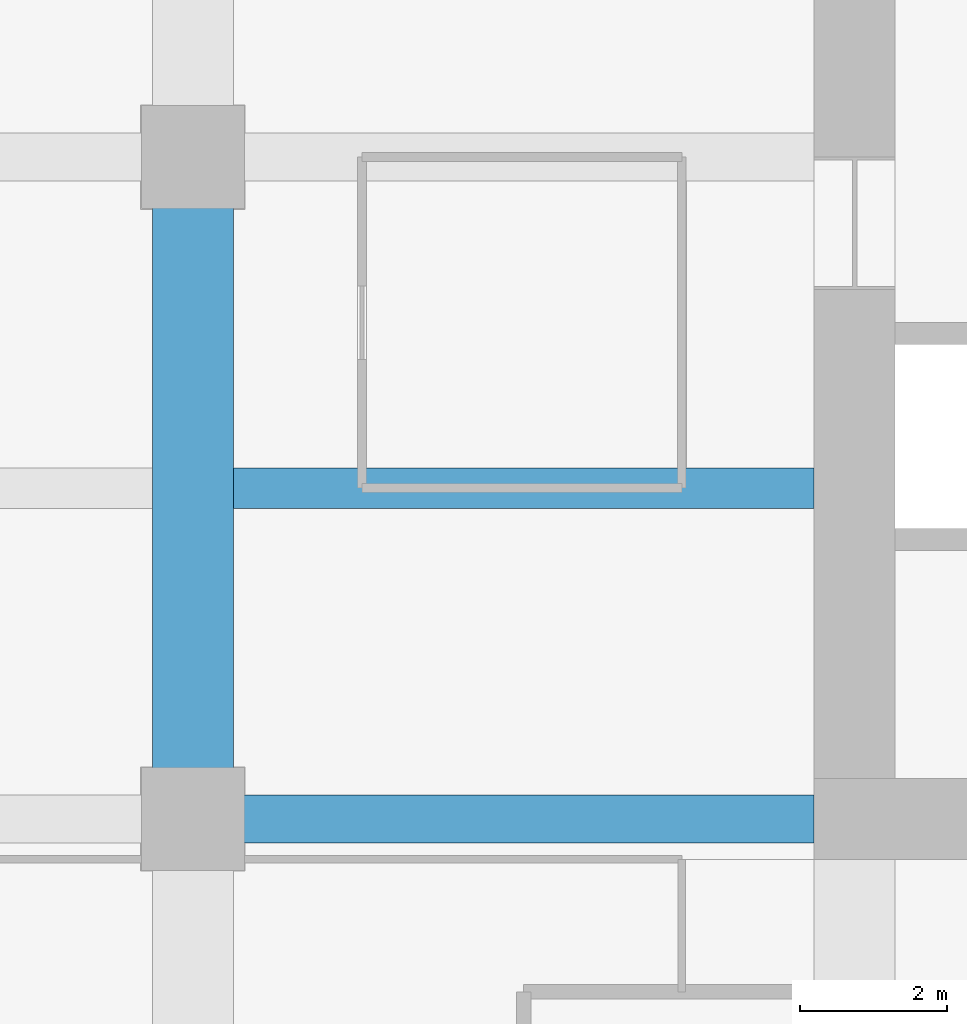
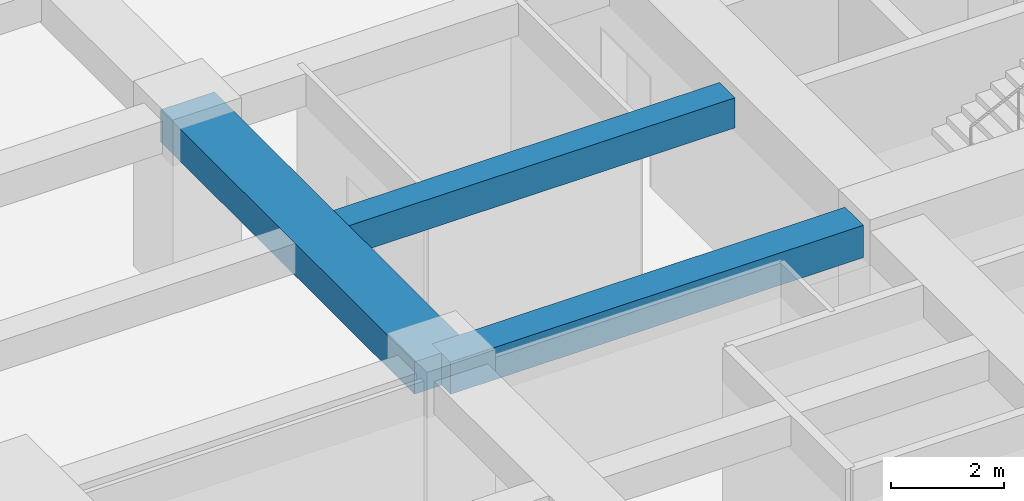
# One storey, part 10 of 33: 3 beams.
"""IFC4 building model written with IfcOpenShell, lengths in metres."""

from ifc_helpers import new_model, si_unit, direction, frame, origin, origin_2d, place, context, subcontext, project, spatial, rectangle, extrude, material, material_profile, profile_set, type_object, element, save


model = new_model("IFC4")

# Units and contexts
model_context = context("Model", 3, precision=1e-05, world=origin(), true_north=direction((0.0, 1.0)))
body_context = subcontext(model_context, "Body", "Model", "MODEL_VIEW")
ifc_project = project(units=[si_unit("LENGTHUNIT", "METRE"), si_unit("AREAUNIT", "SQUARE_METRE"), si_unit("VOLUMEUNIT", "CUBIC_METRE"), si_unit("PLANEANGLEUNIT", "RADIAN"), si_unit("MASSUNIT", "GRAM", prefix="KILO")], contexts=[model_context])

# Site, building, storey
site_placement = place(None, origin())
site = spatial("IfcSite", under=ifc_project, at=site_placement, CompositionType="ELEMENT")
building_placement = place(site_placement, origin())
building = spatial("IfcBuilding", under=site, at=building_placement, Name="Zorevar Civic Tower", CompositionType="ELEMENT")
storey_placement = place(building_placement, frame((0.0, 0.0, 210.199951171875)))
storey = spatial("IfcBuildingStorey", under=building, at=storey_placement, Name="L51", CompositionType="ELEMENT", Elevation=210.199951171875)

# Beams
ifc_material_1 = material(Name="Concrete C50/60", Category="concrete")
ifc_material_profile_1 = material_profile(ifc_material_1, rectangle(XDim=1.10009765625, YDim=0.699951171875, at=origin_2d()), Name="RC 1100x700")
ifc_profile_set_1 = profile_set([ifc_material_profile_1], Name="Concrete C50/60")
beam_type_1 = type_object("IfcBeamType", Name="Beam RC 1100x700", PredefinedType="BEAM", material=ifc_profile_set_1)
beam_1_placement = place(storey_placement, frame((9.0, 18.0, 3.400146484375), z_axis=(0.0, 1.0, 0.0), x_axis=(-1.0, 0.0, 0.0)))
element("IfcBeam", 1, at=beam_1_placement, inside=storey, type_object=beam_type_1, Name="Girder L52", PredefinedType="BEAM", context=body_context, shape_type="SweptSolid", body=[
    extrude(rectangle(XDim=1.10009765625, YDim=0.699951171875, at=origin_2d()), origin(), (0.0, 0.0, 1.0), 9.0),
])
ifc_material_2 = material(Name="Concrete C50/60", Category="concrete")
ifc_material_profile_2 = material_profile(ifc_material_2, rectangle(XDim=0.550048828125, YDim=0.64990234375, at=origin_2d()), Name="RC 550x650")
ifc_profile_set_2 = profile_set([ifc_material_profile_2], Name="Concrete C50/60")
beam_type_2 = type_object("IfcBeamType", Name="Beam RC 550x650", PredefinedType="BEAM", material=ifc_profile_set_2)
beam_2_placement = place(storey_placement, frame((9.550048828125, 22.5, 3.425048828125), z_axis=(1.0, 0.0, 0.0), x_axis=(0.0, 1.0, 0.0)))
element("IfcBeam", 2, at=beam_2_placement, inside=storey, type_object=beam_type_2, Name="Secondary beam L52", PredefinedType="BEAM", context=body_context, shape_type="SweptSolid", body=[
    extrude(rectangle(XDim=0.550048828125, YDim=0.64990234375, at=origin_2d()), origin(), (0.0, 0.0, 1.0), 7.89990234375),
])
ifc_material_3 = material(Name="Concrete C50/60", Category="concrete")
ifc_material_profile_3 = material_profile(ifc_material_3, rectangle(XDim=0.64990234375, YDim=0.699951171875, at=origin_2d()), Name="RC 650x700")
ifc_profile_set_3 = profile_set([ifc_material_profile_3], Name="Concrete C50/60")
beam_type_3 = type_object("IfcBeamType", Name="Beam RC 650x700", PredefinedType="BEAM", material=ifc_profile_set_3)
beam_3_placement = place(storey_placement, frame((9.0, 18.0, 3.400146484375), z_axis=(1.0, 0.0, 0.0), x_axis=(0.0, 1.0, 0.0)))
element("IfcBeam", 3, at=beam_3_placement, inside=storey, type_object=beam_type_3, Name="Girder L52", PredefinedType="BEAM", context=body_context, shape_type="SweptSolid", body=[
    extrude(rectangle(XDim=0.64990234375, YDim=0.699951171875, at=origin_2d()), origin(), (0.0, 0.0, 1.0), 8.449951171875),
])

save(model, "model.ifc")
